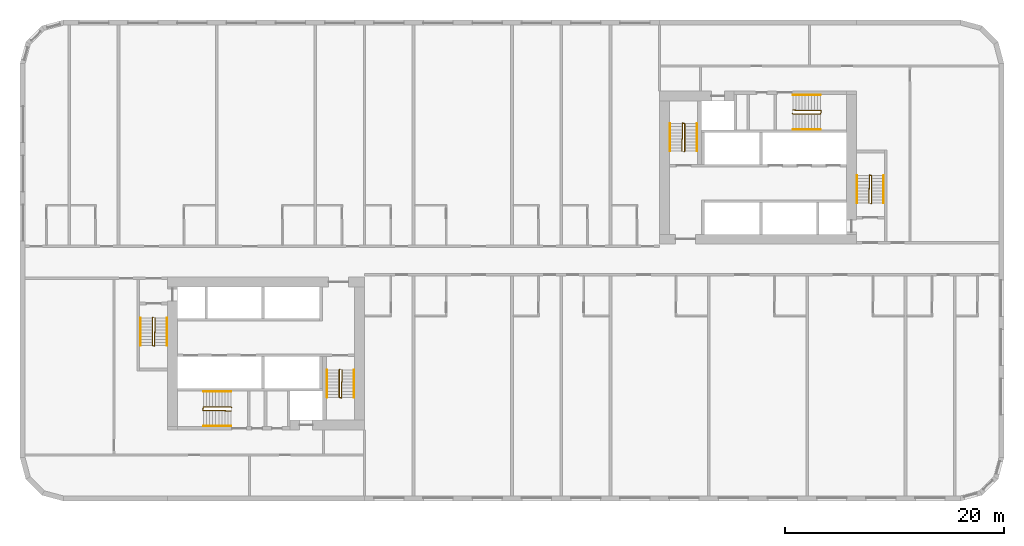
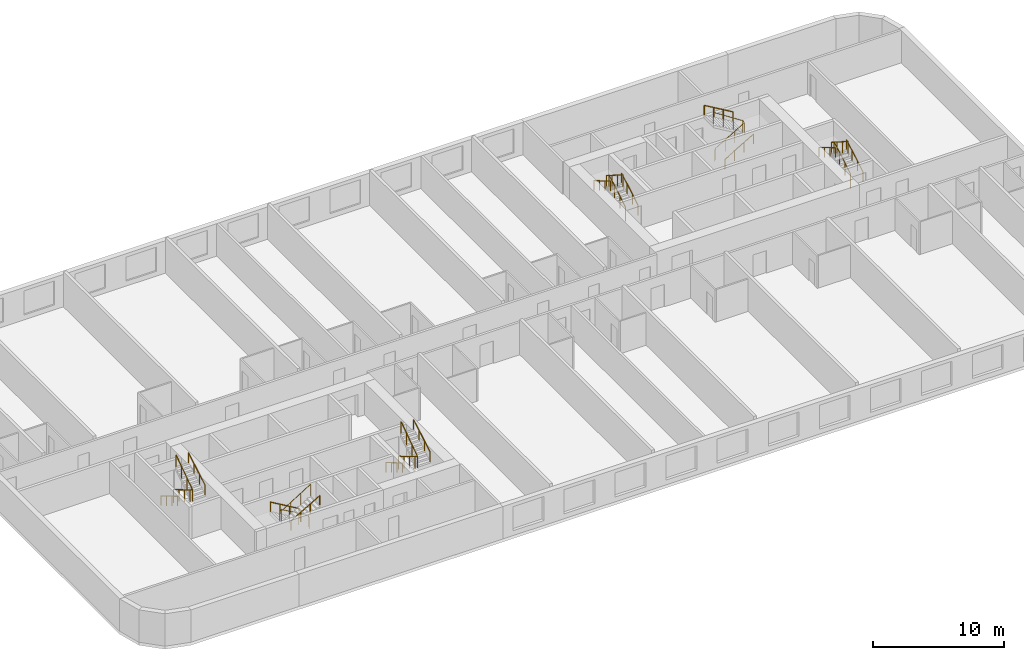
# One storey, part 12 of 12: 18 railings.
"""IFC4 building model written with IfcOpenShell, lengths in metres."""

from ifc_helpers import new_model, si_unit, direction, frame, origin, origin_2d, place, context, subcontext, project, spatial, circle, extrude, material, type_object, element, save


model = new_model("IFC4")

# Units and contexts
model_context = context("Model", 3, precision=1e-05, world=origin(), true_north=direction((0.0, 1.0)))
body_context = subcontext(model_context, "Body", "Model", "MODEL_VIEW")
ifc_project = project(units=[si_unit("LENGTHUNIT", "METRE"), si_unit("AREAUNIT", "SQUARE_METRE"), si_unit("VOLUMEUNIT", "CUBIC_METRE"), si_unit("PLANEANGLEUNIT", "RADIAN"), si_unit("MASSUNIT", "GRAM", prefix="KILO")], contexts=[model_context])

# Site, building, storey
site_placement = place(None, origin())
site = spatial("IfcSite", under=ifc_project, at=site_placement, CompositionType="ELEMENT")
building_placement = place(site_placement, origin())
building = spatial("IfcBuilding", under=site, at=building_placement, Name="Kajstack Hotel Tower", CompositionType="ELEMENT")
storey_placement = place(building_placement, frame((0.0, 0.0, 63.300048828125)))
storey = spatial("IfcBuildingStorey", under=building, at=storey_placement, Name="L10", CompositionType="ELEMENT", Elevation=63.300048828125)

# Railings
ifc_material = material(Name="Steel S355J2", Category="steel")
railing_type_1 = type_object("IfcRailingType", Name="Stair guard 1100", PredefinedType="GUARDRAIL", material=ifc_material)
railing_1_placement = place(storey_placement, frame((-32.85009765625, -5.199951171875, 0.0)))
element("IfcRailing", 1, at=railing_1_placement, inside=storey, type_object=railing_type_1, Name="L10 W1 stair guard 1", PredefinedType="GUARDRAIL", context=body_context, shape_type="SweptSolid", body=[
    extrude(circle(Radius=0.02392578125, at=origin_2d()), frame((0.0, 0.0, 1.076171875), z_axis=(-0.277450376394, -0.278810427259, 0.919394384522), x_axis=(0.708833529934, -0.705375805398, 0.0)), (0.0, 0.0, 1.0), 0.179443359375),
    extrude(circle(Radius=0.02392578125, at=origin_2d()), frame((-0.0498046875, -0.050048828125, 1.2412109375), z_axis=(0.0, -0.861560626758, 0.507654692109), x_axis=(1.0, 0.0, 0.0)), (0.0, 0.0, 1.0), 2.925048828125),
    extrude(circle(Radius=0.02392578125, at=origin_2d()), frame((-0.0498046875, -2.570068359375, 2.72607421875), z_axis=(0.970072785993, -0.242814311512, 0.0), x_axis=(0.242814311512, 0.970072785993, 0.0)), (0.0, 0.0, 1.0), 0.2060546875),
    extrude(circle(Radius=0.02392578125, at=origin_2d()), frame((0.150146484375, -2.6201171875, 2.72607421875), z_axis=(0.016384601254, 0.84136925563, 0.540212292087), x_axis=(-0.999810440751, 0.019470042781, 0.0)), (0.0, 0.0, 1.0), 3.0546875),
    extrude(circle(Radius=0.02099609375, at=origin_2d()), origin(), (0.0, 0.0, 1.0), 1.052001953125),
    extrude(circle(Radius=0.02099609375, at=origin_2d()), frame((-0.0498046875, -0.050048828125, 0.1650390625)), (0.0, 0.0, 1.0), 1.052001953125),
    extrude(circle(Radius=0.02099609375, at=origin_2d()), frame((-0.0498046875, -0.89013671875, 0.659912109375)), (0.0, 0.0, 1.0), 1.052001953125),
    extrude(circle(Radius=0.02099609375, at=origin_2d()), frame((-0.0498046875, -1.72998046875, 1.155029296875)), (0.0, 0.0, 1.0), 1.052001953125),
    extrude(circle(Radius=0.02099609375, at=origin_2d()), frame((-0.0498046875, -2.570068359375, 1.64990234375)), (0.0, 0.0, 1.0), 1.052001953125),
    extrude(circle(Radius=0.02099609375, at=origin_2d()), frame((0.150146484375, -2.6201171875, 1.64990234375)), (0.0, 0.0, 1.0), 1.052001953125),
    extrude(circle(Radius=0.02099609375, at=origin_2d()), frame((0.166748046875, -1.763427734375, 2.199951171875)), (0.0, 0.0, 1.0), 1.052001953125),
    extrude(circle(Radius=0.02099609375, at=origin_2d()), frame((0.18359375, -0.90673828125, 2.75)), (0.0, 0.0, 1.0), 1.052001953125),
    extrude(circle(Radius=0.02099609375, at=origin_2d()), frame((0.2001953125, -0.050048828125, 3.300048828125)), (0.0, 0.0, 1.0), 1.052001953125),
])
railing_2_placement = place(storey_placement, frame((-15.75, -9.949951171875, 0.0)))
element("IfcRailing", 2, at=railing_2_placement, inside=storey, type_object=railing_type_1, Name="L10 W2 stair guard 1", PredefinedType="GUARDRAIL", context=body_context, shape_type="SweptSolid", body=[
    extrude(circle(Radius=0.02392578125, at=origin_2d()), frame((0.0, 0.0, 1.076171875), z_axis=(-0.278705021027, -0.278705021027, 0.919046801044), x_axis=(0.707106781187, -0.707106781187, 0.0)), (0.0, 0.0, 1.0), 0.1796875),
    extrude(circle(Radius=0.02392578125, at=origin_2d()), frame((-0.050048828125, -0.050048828125, 1.2412109375), z_axis=(0.0, -0.861560626758, 0.507654692109), x_axis=(1.0, 0.0, 0.0)), (0.0, 0.0, 1.0), 2.925048828125),
    extrude(circle(Radius=0.02392578125, at=origin_2d()), frame((-0.050048828125, -2.570068359375, 2.72607421875), z_axis=(0.970072785993, -0.242814311512, 0.0), x_axis=(0.242814311512, 0.970072785993, 0.0)), (0.0, 0.0, 1.0), 0.2060546875),
    extrude(circle(Radius=0.02392578125, at=origin_2d()), frame((0.14990234375, -2.6201171875, 2.72607421875), z_axis=(0.016384601254, 0.84136925563, 0.540212292087), x_axis=(-0.999810440751, 0.019470042781, 0.0)), (0.0, 0.0, 1.0), 3.0546875),
    extrude(circle(Radius=0.02099609375, at=origin_2d()), origin(), (0.0, 0.0, 1.0), 1.052001953125),
    extrude(circle(Radius=0.02099609375, at=origin_2d()), frame((-0.050048828125, -0.050048828125, 0.1650390625)), (0.0, 0.0, 1.0), 1.052001953125),
    extrude(circle(Radius=0.02099609375, at=origin_2d()), frame((-0.050048828125, -0.89013671875, 0.659912109375)), (0.0, 0.0, 1.0), 1.052001953125),
    extrude(circle(Radius=0.02099609375, at=origin_2d()), frame((-0.050048828125, -1.72998046875, 1.155029296875)), (0.0, 0.0, 1.0), 1.052001953125),
    extrude(circle(Radius=0.02099609375, at=origin_2d()), frame((-0.050048828125, -2.570068359375, 1.64990234375)), (0.0, 0.0, 1.0), 1.052001953125),
    extrude(circle(Radius=0.02099609375, at=origin_2d()), frame((0.14990234375, -2.6201171875, 1.64990234375)), (0.0, 0.0, 1.0), 1.052001953125),
    extrude(circle(Radius=0.02099609375, at=origin_2d()), frame((0.16650390625, -1.763427734375, 2.199951171875)), (0.0, 0.0, 1.0), 1.052001953125),
    extrude(circle(Radius=0.02099609375, at=origin_2d()), frame((0.183349609375, -0.90673828125, 2.75)), (0.0, 0.0, 1.0), 1.052001953125),
    extrude(circle(Radius=0.02099609375, at=origin_2d()), frame((0.199951171875, -0.050048828125, 3.300048828125)), (0.0, 0.0, 1.0), 1.052001953125),
])
railing_3_placement = place(storey_placement, frame((-25.64990234375, -13.449951171875, 0.0)))
element("IfcRailing", 3, at=railing_3_placement, inside=storey, type_object=railing_type_1, Name="L10 W3 stair guard 1", PredefinedType="GUARDRAIL", context=body_context, shape_type="SweptSolid", body=[
    extrude(circle(Radius=0.02392578125, at=origin_2d()), frame((0.0, 0.0, 1.076171875), z_axis=(-0.278705021027, 0.278705021027, 0.919046801044), x_axis=(-0.707106781187, -0.707106781187, 0.0)), (0.0, 0.0, 1.0), 0.1796875),
    extrude(circle(Radius=0.02392578125, at=origin_2d()), frame((-0.050048828125, 0.050048828125, 1.2412109375), z_axis=(-0.861560626758, 0.0, 0.507654692109), x_axis=(0.0, -1.0, 0.0)), (0.0, 0.0, 1.0), 2.925048828125),
    extrude(circle(Radius=0.02392578125, at=origin_2d()), frame((-2.570068359375, 0.050048828125, 2.72607421875), z_axis=(-0.164529134168, -0.986372223864, 0.0), x_axis=(0.986372223864, -0.164529134168, 0.0)), (0.0, 0.0, 1.0), 0.30419921875),
    extrude(circle(Radius=0.02392578125, at=origin_2d()), frame((-2.6201171875, -0.25, 2.72607421875), z_axis=(0.84136925563, -0.016384601254, 0.540212292087), x_axis=(0.019470042781, 0.999810440751, 0.0)), (0.0, 0.0, 1.0), 3.0546875),
    extrude(circle(Radius=0.02099609375, at=origin_2d()), origin(), (0.0, 0.0, 1.0), 1.052001953125),
    extrude(circle(Radius=0.02099609375, at=origin_2d()), frame((-0.050048828125, 0.050048828125, 0.1650390625)), (0.0, 0.0, 1.0), 1.052001953125),
    extrude(circle(Radius=0.02099609375, at=origin_2d()), frame((-0.89013671875, 0.050048828125, 0.659912109375)), (0.0, 0.0, 1.0), 1.052001953125),
    extrude(circle(Radius=0.02099609375, at=origin_2d()), frame((-1.72998046875, 0.050048828125, 1.155029296875)), (0.0, 0.0, 1.0), 1.052001953125),
    extrude(circle(Radius=0.02099609375, at=origin_2d()), frame((-2.570068359375, 0.050048828125, 1.64990234375)), (0.0, 0.0, 1.0), 1.052001953125),
    extrude(circle(Radius=0.02099609375, at=origin_2d()), frame((-2.6201171875, -0.25, 1.64990234375)), (0.0, 0.0, 1.0), 1.052001953125),
    extrude(circle(Radius=0.02099609375, at=origin_2d()), frame((-1.763427734375, -0.2666015625, 2.199951171875)), (0.0, 0.0, 1.0), 1.052001953125),
    extrude(circle(Radius=0.02099609375, at=origin_2d()), frame((-0.90673828125, -0.283447265625, 2.75)), (0.0, 0.0, 1.0), 1.052001953125),
    extrude(circle(Radius=0.02099609375, at=origin_2d()), frame((-0.050048828125, -0.300048828125, 3.300048828125)), (0.0, 0.0, 1.0), 1.052001953125),
])
railing_4_placement = place(storey_placement, frame((32.85009765625, 5.199951171875, 0.0)))
element("IfcRailing", 4, at=railing_4_placement, inside=storey, type_object=railing_type_1, Name="L10 E1 stair guard 1", PredefinedType="GUARDRAIL", context=body_context, shape_type="SweptSolid", body=[
    extrude(circle(Radius=0.02392578125, at=origin_2d()), frame((0.0, 0.0, 1.076171875), z_axis=(0.277450376394, 0.278810427259, 0.919394384522), x_axis=(-0.708833529934, 0.705375805398, 0.0)), (0.0, 0.0, 1.0), 0.179443359375),
    extrude(circle(Radius=0.02392578125, at=origin_2d()), frame((0.0498046875, 0.050048828125, 1.2412109375), z_axis=(0.0, 0.861560626758, 0.507654692109), x_axis=(-1.0, 0.0, 0.0)), (0.0, 0.0, 1.0), 2.925048828125),
    extrude(circle(Radius=0.02392578125, at=origin_2d()), frame((0.0498046875, 2.570068359375, 2.72607421875), z_axis=(-0.970072785993, 0.242814311512, 0.0), x_axis=(-0.242814311512, -0.970072785993, 0.0)), (0.0, 0.0, 1.0), 0.2060546875),
    extrude(circle(Radius=0.02392578125, at=origin_2d()), frame((-0.150146484375, 2.6201171875, 2.72607421875), z_axis=(-0.016384601254, -0.84136925563, 0.540212292087), x_axis=(0.999810440751, -0.019470042781, 0.0)), (0.0, 0.0, 1.0), 3.0546875),
    extrude(circle(Radius=0.02099609375, at=origin_2d()), origin(), (0.0, 0.0, 1.0), 1.052001953125),
    extrude(circle(Radius=0.02099609375, at=origin_2d()), frame((0.0498046875, 0.050048828125, 0.1650390625)), (0.0, 0.0, 1.0), 1.052001953125),
    extrude(circle(Radius=0.02099609375, at=origin_2d()), frame((0.0498046875, 0.89013671875, 0.659912109375)), (0.0, 0.0, 1.0), 1.052001953125),
    extrude(circle(Radius=0.02099609375, at=origin_2d()), frame((0.0498046875, 1.72998046875, 1.155029296875)), (0.0, 0.0, 1.0), 1.052001953125),
    extrude(circle(Radius=0.02099609375, at=origin_2d()), frame((0.0498046875, 2.570068359375, 1.64990234375)), (0.0, 0.0, 1.0), 1.052001953125),
    extrude(circle(Radius=0.02099609375, at=origin_2d()), frame((-0.150146484375, 2.6201171875, 1.64990234375)), (0.0, 0.0, 1.0), 1.052001953125),
    extrude(circle(Radius=0.02099609375, at=origin_2d()), frame((-0.166748046875, 1.763427734375, 2.199951171875)), (0.0, 0.0, 1.0), 1.052001953125),
    extrude(circle(Radius=0.02099609375, at=origin_2d()), frame((-0.18359375, 0.90673828125, 2.75)), (0.0, 0.0, 1.0), 1.052001953125),
    extrude(circle(Radius=0.02099609375, at=origin_2d()), frame((-0.2001953125, 0.050048828125, 3.300048828125)), (0.0, 0.0, 1.0), 1.052001953125),
])
railing_5_placement = place(storey_placement, frame((15.75, 9.949951171875, 0.0)))
element("IfcRailing", 5, at=railing_5_placement, inside=storey, type_object=railing_type_1, Name="L10 E2 stair guard 1", PredefinedType="GUARDRAIL", context=body_context, shape_type="SweptSolid", body=[
    extrude(circle(Radius=0.02392578125, at=origin_2d()), frame((0.0, 0.0, 1.076171875), z_axis=(0.278705021027, 0.278705021027, 0.919046801044), x_axis=(-0.707106781187, 0.707106781187, 0.0)), (0.0, 0.0, 1.0), 0.1796875),
    extrude(circle(Radius=0.02392578125, at=origin_2d()), frame((0.050048828125, 0.050048828125, 1.2412109375), z_axis=(0.0, 0.861560626758, 0.507654692109), x_axis=(-1.0, 0.0, 0.0)), (0.0, 0.0, 1.0), 2.925048828125),
    extrude(circle(Radius=0.02392578125, at=origin_2d()), frame((0.050048828125, 2.570068359375, 2.72607421875), z_axis=(-0.970072785993, 0.242814311512, 0.0), x_axis=(-0.242814311512, -0.970072785993, 0.0)), (0.0, 0.0, 1.0), 0.2060546875),
    extrude(circle(Radius=0.02392578125, at=origin_2d()), frame((-0.14990234375, 2.6201171875, 2.72607421875), z_axis=(-0.016384601254, -0.84136925563, 0.540212292087), x_axis=(0.999810440751, -0.019470042781, 0.0)), (0.0, 0.0, 1.0), 3.0546875),
    extrude(circle(Radius=0.02099609375, at=origin_2d()), origin(), (0.0, 0.0, 1.0), 1.052001953125),
    extrude(circle(Radius=0.02099609375, at=origin_2d()), frame((0.050048828125, 0.050048828125, 0.1650390625)), (0.0, 0.0, 1.0), 1.052001953125),
    extrude(circle(Radius=0.02099609375, at=origin_2d()), frame((0.050048828125, 0.89013671875, 0.659912109375)), (0.0, 0.0, 1.0), 1.052001953125),
    extrude(circle(Radius=0.02099609375, at=origin_2d()), frame((0.050048828125, 1.72998046875, 1.155029296875)), (0.0, 0.0, 1.0), 1.052001953125),
    extrude(circle(Radius=0.02099609375, at=origin_2d()), frame((0.050048828125, 2.570068359375, 1.64990234375)), (0.0, 0.0, 1.0), 1.052001953125),
    extrude(circle(Radius=0.02099609375, at=origin_2d()), frame((-0.14990234375, 2.6201171875, 1.64990234375)), (0.0, 0.0, 1.0), 1.052001953125),
    extrude(circle(Radius=0.02099609375, at=origin_2d()), frame((-0.16650390625, 1.763427734375, 2.199951171875)), (0.0, 0.0, 1.0), 1.052001953125),
    extrude(circle(Radius=0.02099609375, at=origin_2d()), frame((-0.183349609375, 0.90673828125, 2.75)), (0.0, 0.0, 1.0), 1.052001953125),
    extrude(circle(Radius=0.02099609375, at=origin_2d()), frame((-0.199951171875, 0.050048828125, 3.300048828125)), (0.0, 0.0, 1.0), 1.052001953125),
])
railing_6_placement = place(storey_placement, frame((25.64990234375, 13.449951171875, 0.0)))
element("IfcRailing", 6, at=railing_6_placement, inside=storey, type_object=railing_type_1, Name="L10 E3 stair guard 1", PredefinedType="GUARDRAIL", context=body_context, shape_type="SweptSolid", body=[
    extrude(circle(Radius=0.02392578125, at=origin_2d()), frame((0.0, 0.0, 1.076171875), z_axis=(0.278705021027, -0.278705021027, 0.919046801044), x_axis=(0.707106781187, 0.707106781187, 0.0)), (0.0, 0.0, 1.0), 0.1796875),
    extrude(circle(Radius=0.02392578125, at=origin_2d()), frame((0.050048828125, -0.050048828125, 1.2412109375), z_axis=(0.861560626758, 0.0, 0.507654692109), x_axis=(0.0, 1.0, 0.0)), (0.0, 0.0, 1.0), 2.925048828125),
    extrude(circle(Radius=0.02392578125, at=origin_2d()), frame((2.570068359375, -0.050048828125, 2.72607421875), z_axis=(0.164529134168, 0.986372223864, 0.0), x_axis=(-0.986372223864, 0.164529134168, 0.0)), (0.0, 0.0, 1.0), 0.30419921875),
    extrude(circle(Radius=0.02392578125, at=origin_2d()), frame((2.6201171875, 0.25, 2.72607421875), z_axis=(-0.84136925563, 0.016384601254, 0.540212292087), x_axis=(-0.019470042781, -0.999810440751, 0.0)), (0.0, 0.0, 1.0), 3.0546875),
    extrude(circle(Radius=0.02099609375, at=origin_2d()), origin(), (0.0, 0.0, 1.0), 1.052001953125),
    extrude(circle(Radius=0.02099609375, at=origin_2d()), frame((0.050048828125, -0.050048828125, 0.1650390625)), (0.0, 0.0, 1.0), 1.052001953125),
    extrude(circle(Radius=0.02099609375, at=origin_2d()), frame((0.89013671875, -0.050048828125, 0.659912109375)), (0.0, 0.0, 1.0), 1.052001953125),
    extrude(circle(Radius=0.02099609375, at=origin_2d()), frame((1.72998046875, -0.050048828125, 1.155029296875)), (0.0, 0.0, 1.0), 1.052001953125),
    extrude(circle(Radius=0.02099609375, at=origin_2d()), frame((2.570068359375, -0.050048828125, 1.64990234375)), (0.0, 0.0, 1.0), 1.052001953125),
    extrude(circle(Radius=0.02099609375, at=origin_2d()), frame((2.6201171875, 0.25, 1.64990234375)), (0.0, 0.0, 1.0), 1.052001953125),
    extrude(circle(Radius=0.02099609375, at=origin_2d()), frame((1.763427734375, 0.2666015625, 2.199951171875)), (0.0, 0.0, 1.0), 1.052001953125),
    extrude(circle(Radius=0.02099609375, at=origin_2d()), frame((0.90673828125, 0.283447265625, 2.75)), (0.0, 0.0, 1.0), 1.052001953125),
    extrude(circle(Radius=0.02099609375, at=origin_2d()), frame((0.050048828125, 0.300048828125, 3.300048828125)), (0.0, 0.0, 1.0), 1.052001953125),
])
railing_type_2 = type_object("IfcRailingType", Name="Stair handrail 900", PredefinedType="HANDRAIL", material=ifc_material)
railing_7_placement = place(storey_placement, frame((-34.0, -5.25, 0.1650390625)))
element("IfcRailing", 7, at=railing_7_placement, inside=storey, type_object=railing_type_2, Name="L10 W1 stair handrail 1", PredefinedType="HANDRAIL", context=body_context, shape_type="SweptSolid", body=[
    extrude(circle(Radius=0.02392578125, at=origin_2d()), frame((0.0, 0.0, 0.8759765625), z_axis=(0.0, -0.861560626758, 0.507654692109), x_axis=(1.0, 0.0, 0.0)), (0.0, 0.0, 1.0), 2.925048828125),
    extrude(circle(Radius=0.02099609375, at=origin_2d()), origin(), (0.0, 0.0, 1.0), 0.851806640625),
    extrude(circle(Radius=0.02099609375, at=origin_2d()), frame((0.0, -0.840087890625, 0.494873046875)), (0.0, 0.0, 1.0), 0.851806640625),
    extrude(circle(Radius=0.02099609375, at=origin_2d()), frame((0.0, -1.679931640625, 0.989990234375)), (0.0, 0.0, 1.0), 0.851806640625),
    extrude(circle(Radius=0.02099609375, at=origin_2d()), frame((0.0, -2.52001953125, 1.48486328125)), (0.0, 0.0, 1.0), 0.851806640625),
])
railing_8_placement = place(storey_placement, frame((-31.550048828125, -7.77001953125, 1.81494140625)))
element("IfcRailing", 8, at=railing_8_placement, inside=storey, type_object=railing_type_2, Name="L10 W1 stair handrail 2", PredefinedType="HANDRAIL", context=body_context, shape_type="SweptSolid", body=[
    extrude(circle(Radius=0.02392578125, at=origin_2d()), frame((0.0, 0.0, 0.8759765625), z_axis=(0.0, 0.86152411907, 0.507716645641), x_axis=(-1.0, 0.0, 0.0)), (0.0, 0.0, 1.0), 2.925048828125),
    extrude(circle(Radius=0.02099609375, at=origin_2d()), origin(), (0.0, 0.0, 1.0), 0.851806640625),
    extrude(circle(Radius=0.02099609375, at=origin_2d()), frame((0.0, 0.840087890625, 0.4951171875)), (0.0, 0.0, 1.0), 0.851806640625),
    extrude(circle(Radius=0.02099609375, at=origin_2d()), frame((0.0, 1.679931640625, 0.989990234375)), (0.0, 0.0, 1.0), 0.851806640625),
    extrude(circle(Radius=0.02099609375, at=origin_2d()), frame((0.0, 2.52001953125, 1.485107421875)), (0.0, 0.0, 1.0), 0.851806640625),
])
railing_9_placement = place(storey_placement, frame((-16.89990234375, -10.0, 0.1650390625)))
element("IfcRailing", 9, at=railing_9_placement, inside=storey, type_object=railing_type_2, Name="L10 W2 stair handrail 1", PredefinedType="HANDRAIL", context=body_context, shape_type="SweptSolid", body=[
    extrude(circle(Radius=0.02392578125, at=origin_2d()), frame((0.0, 0.0, 0.8759765625), z_axis=(0.0, -0.861560626758, 0.507654692109), x_axis=(1.0, 0.0, 0.0)), (0.0, 0.0, 1.0), 2.925048828125),
    extrude(circle(Radius=0.02099609375, at=origin_2d()), origin(), (0.0, 0.0, 1.0), 0.851806640625),
    extrude(circle(Radius=0.02099609375, at=origin_2d()), frame((0.0, -0.840087890625, 0.494873046875)), (0.0, 0.0, 1.0), 0.851806640625),
    extrude(circle(Radius=0.02099609375, at=origin_2d()), frame((0.0, -1.679931640625, 0.989990234375)), (0.0, 0.0, 1.0), 0.851806640625),
    extrude(circle(Radius=0.02099609375, at=origin_2d()), frame((0.0, -2.52001953125, 1.48486328125)), (0.0, 0.0, 1.0), 0.851806640625),
])
railing_10_placement = place(storey_placement, frame((-14.449951171875, -12.52001953125, 1.81494140625)))
element("IfcRailing", 10, at=railing_10_placement, inside=storey, type_object=railing_type_2, Name="L10 W2 stair handrail 2", PredefinedType="HANDRAIL", context=body_context, shape_type="SweptSolid", body=[
    extrude(circle(Radius=0.02392578125, at=origin_2d()), frame((0.0, 0.0, 0.8759765625), z_axis=(0.0, 0.86152411907, 0.507716645641), x_axis=(-1.0, 0.0, 0.0)), (0.0, 0.0, 1.0), 2.925048828125),
    extrude(circle(Radius=0.02099609375, at=origin_2d()), origin(), (0.0, 0.0, 1.0), 0.851806640625),
    extrude(circle(Radius=0.02099609375, at=origin_2d()), frame((0.0, 0.840087890625, 0.4951171875)), (0.0, 0.0, 1.0), 0.851806640625),
    extrude(circle(Radius=0.02099609375, at=origin_2d()), frame((0.0, 1.679931640625, 0.989990234375)), (0.0, 0.0, 1.0), 0.851806640625),
    extrude(circle(Radius=0.02099609375, at=origin_2d()), frame((0.0, 2.52001953125, 1.485107421875)), (0.0, 0.0, 1.0), 0.851806640625),
])
railing_11_placement = place(storey_placement, frame((-25.699951171875, -12.0, 0.1650390625)))
element("IfcRailing", 11, at=railing_11_placement, inside=storey, type_object=railing_type_2, Name="L10 W3 stair handrail 1", PredefinedType="HANDRAIL", context=body_context, shape_type="SweptSolid", body=[
    extrude(circle(Radius=0.02392578125, at=origin_2d()), frame((0.0, 0.0, 0.8759765625), z_axis=(-0.861560626758, 0.0, 0.507654692109), x_axis=(0.0, -1.0, 0.0)), (0.0, 0.0, 1.0), 2.925048828125),
    extrude(circle(Radius=0.02099609375, at=origin_2d()), origin(), (0.0, 0.0, 1.0), 0.851806640625),
    extrude(circle(Radius=0.02099609375, at=origin_2d()), frame((-0.840087890625, 0.0, 0.494873046875)), (0.0, 0.0, 1.0), 0.851806640625),
    extrude(circle(Radius=0.02099609375, at=origin_2d()), frame((-1.679931640625, 0.0, 0.989990234375)), (0.0, 0.0, 1.0), 0.851806640625),
    extrude(circle(Radius=0.02099609375, at=origin_2d()), frame((-2.52001953125, 0.0, 1.48486328125)), (0.0, 0.0, 1.0), 0.851806640625),
])
railing_12_placement = place(storey_placement, frame((-28.219970703125, -15.14990234375, 1.81494140625)))
element("IfcRailing", 12, at=railing_12_placement, inside=storey, type_object=railing_type_2, Name="L10 W3 stair handrail 2", PredefinedType="HANDRAIL", context=body_context, shape_type="SweptSolid", body=[
    extrude(circle(Radius=0.02392578125, at=origin_2d()), frame((0.0, 0.0, 0.8759765625), z_axis=(0.86152411907, 0.0, 0.507716645641), x_axis=(0.0, 1.0, 0.0)), (0.0, 0.0, 1.0), 2.925048828125),
    extrude(circle(Radius=0.02099609375, at=origin_2d()), origin(), (0.0, 0.0, 1.0), 0.851806640625),
    extrude(circle(Radius=0.02099609375, at=origin_2d()), frame((0.840087890625, 0.0, 0.4951171875)), (0.0, 0.0, 1.0), 0.851806640625),
    extrude(circle(Radius=0.02099609375, at=origin_2d()), frame((1.679931640625, 0.0, 0.989990234375)), (0.0, 0.0, 1.0), 0.851806640625),
    extrude(circle(Radius=0.02099609375, at=origin_2d()), frame((2.52001953125, 0.0, 1.485107421875)), (0.0, 0.0, 1.0), 0.851806640625),
])
railing_13_placement = place(storey_placement, frame((34.0, 5.25, 0.1650390625)))
element("IfcRailing", 13, at=railing_13_placement, inside=storey, type_object=railing_type_2, Name="L10 E1 stair handrail 1", PredefinedType="HANDRAIL", context=body_context, shape_type="SweptSolid", body=[
    extrude(circle(Radius=0.02392578125, at=origin_2d()), frame((0.0, 0.0, 0.8759765625), z_axis=(0.0, 0.861560626758, 0.507654692109), x_axis=(-1.0, 0.0, 0.0)), (0.0, 0.0, 1.0), 2.925048828125),
    extrude(circle(Radius=0.02099609375, at=origin_2d()), origin(), (0.0, 0.0, 1.0), 0.851806640625),
    extrude(circle(Radius=0.02099609375, at=origin_2d()), frame((0.0, 0.840087890625, 0.494873046875)), (0.0, 0.0, 1.0), 0.851806640625),
    extrude(circle(Radius=0.02099609375, at=origin_2d()), frame((0.0, 1.679931640625, 0.989990234375)), (0.0, 0.0, 1.0), 0.851806640625),
    extrude(circle(Radius=0.02099609375, at=origin_2d()), frame((0.0, 2.52001953125, 1.48486328125)), (0.0, 0.0, 1.0), 0.851806640625),
])
railing_14_placement = place(storey_placement, frame((31.550048828125, 7.77001953125, 1.81494140625)))
element("IfcRailing", 14, at=railing_14_placement, inside=storey, type_object=railing_type_2, Name="L10 E1 stair handrail 2", PredefinedType="HANDRAIL", context=body_context, shape_type="SweptSolid", body=[
    extrude(circle(Radius=0.02392578125, at=origin_2d()), frame((0.0, 0.0, 0.8759765625), z_axis=(0.0, -0.86152411907, 0.507716645641), x_axis=(1.0, 0.0, 0.0)), (0.0, 0.0, 1.0), 2.925048828125),
    extrude(circle(Radius=0.02099609375, at=origin_2d()), origin(), (0.0, 0.0, 1.0), 0.851806640625),
    extrude(circle(Radius=0.02099609375, at=origin_2d()), frame((0.0, -0.840087890625, 0.4951171875)), (0.0, 0.0, 1.0), 0.851806640625),
    extrude(circle(Radius=0.02099609375, at=origin_2d()), frame((0.0, -1.679931640625, 0.989990234375)), (0.0, 0.0, 1.0), 0.851806640625),
    extrude(circle(Radius=0.02099609375, at=origin_2d()), frame((0.0, -2.52001953125, 1.485107421875)), (0.0, 0.0, 1.0), 0.851806640625),
])
railing_15_placement = place(storey_placement, frame((16.89990234375, 10.0, 0.1650390625)))
element("IfcRailing", 15, at=railing_15_placement, inside=storey, type_object=railing_type_2, Name="L10 E2 stair handrail 1", PredefinedType="HANDRAIL", context=body_context, shape_type="SweptSolid", body=[
    extrude(circle(Radius=0.02392578125, at=origin_2d()), frame((0.0, 0.0, 0.8759765625), z_axis=(0.0, 0.861560626758, 0.507654692109), x_axis=(-1.0, 0.0, 0.0)), (0.0, 0.0, 1.0), 2.925048828125),
    extrude(circle(Radius=0.02099609375, at=origin_2d()), origin(), (0.0, 0.0, 1.0), 0.851806640625),
    extrude(circle(Radius=0.02099609375, at=origin_2d()), frame((0.0, 0.840087890625, 0.494873046875)), (0.0, 0.0, 1.0), 0.851806640625),
    extrude(circle(Radius=0.02099609375, at=origin_2d()), frame((0.0, 1.679931640625, 0.989990234375)), (0.0, 0.0, 1.0), 0.851806640625),
    extrude(circle(Radius=0.02099609375, at=origin_2d()), frame((0.0, 2.52001953125, 1.48486328125)), (0.0, 0.0, 1.0), 0.851806640625),
])
railing_16_placement = place(storey_placement, frame((14.449951171875, 12.52001953125, 1.81494140625)))
element("IfcRailing", 16, at=railing_16_placement, inside=storey, type_object=railing_type_2, Name="L10 E2 stair handrail 2", PredefinedType="HANDRAIL", context=body_context, shape_type="SweptSolid", body=[
    extrude(circle(Radius=0.02392578125, at=origin_2d()), frame((0.0, 0.0, 0.8759765625), z_axis=(0.0, -0.86152411907, 0.507716645641), x_axis=(1.0, 0.0, 0.0)), (0.0, 0.0, 1.0), 2.925048828125),
    extrude(circle(Radius=0.02099609375, at=origin_2d()), origin(), (0.0, 0.0, 1.0), 0.851806640625),
    extrude(circle(Radius=0.02099609375, at=origin_2d()), frame((0.0, -0.840087890625, 0.4951171875)), (0.0, 0.0, 1.0), 0.851806640625),
    extrude(circle(Radius=0.02099609375, at=origin_2d()), frame((0.0, -1.679931640625, 0.989990234375)), (0.0, 0.0, 1.0), 0.851806640625),
    extrude(circle(Radius=0.02099609375, at=origin_2d()), frame((0.0, -2.52001953125, 1.485107421875)), (0.0, 0.0, 1.0), 0.851806640625),
])
railing_17_placement = place(storey_placement, frame((25.699951171875, 12.0, 0.1650390625)))
element("IfcRailing", 17, at=railing_17_placement, inside=storey, type_object=railing_type_2, Name="L10 E3 stair handrail 1", PredefinedType="HANDRAIL", context=body_context, shape_type="SweptSolid", body=[
    extrude(circle(Radius=0.02392578125, at=origin_2d()), frame((0.0, 0.0, 0.8759765625), z_axis=(0.861560626758, 0.0, 0.507654692109), x_axis=(0.0, 1.0, 0.0)), (0.0, 0.0, 1.0), 2.925048828125),
    extrude(circle(Radius=0.02099609375, at=origin_2d()), origin(), (0.0, 0.0, 1.0), 0.851806640625),
    extrude(circle(Radius=0.02099609375, at=origin_2d()), frame((0.840087890625, 0.0, 0.494873046875)), (0.0, 0.0, 1.0), 0.851806640625),
    extrude(circle(Radius=0.02099609375, at=origin_2d()), frame((1.679931640625, 0.0, 0.989990234375)), (0.0, 0.0, 1.0), 0.851806640625),
    extrude(circle(Radius=0.02099609375, at=origin_2d()), frame((2.52001953125, 0.0, 1.48486328125)), (0.0, 0.0, 1.0), 0.851806640625),
])
railing_18_placement = place(storey_placement, frame((28.219970703125, 15.14990234375, 1.81494140625)))
element("IfcRailing", 18, at=railing_18_placement, inside=storey, type_object=railing_type_2, Name="L10 E3 stair handrail 2", PredefinedType="HANDRAIL", context=body_context, shape_type="SweptSolid", body=[
    extrude(circle(Radius=0.02392578125, at=origin_2d()), frame((0.0, 0.0, 0.8759765625), z_axis=(-0.86152411907, 0.0, 0.507716645641), x_axis=(0.0, -1.0, 0.0)), (0.0, 0.0, 1.0), 2.925048828125),
    extrude(circle(Radius=0.02099609375, at=origin_2d()), origin(), (0.0, 0.0, 1.0), 0.851806640625),
    extrude(circle(Radius=0.02099609375, at=origin_2d()), frame((-0.840087890625, 0.0, 0.4951171875)), (0.0, 0.0, 1.0), 0.851806640625),
    extrude(circle(Radius=0.02099609375, at=origin_2d()), frame((-1.679931640625, 0.0, 0.989990234375)), (0.0, 0.0, 1.0), 0.851806640625),
    extrude(circle(Radius=0.02099609375, at=origin_2d()), frame((-2.52001953125, 0.0, 1.485107421875)), (0.0, 0.0, 1.0), 0.851806640625),
])

save(model, "model.ifc")
